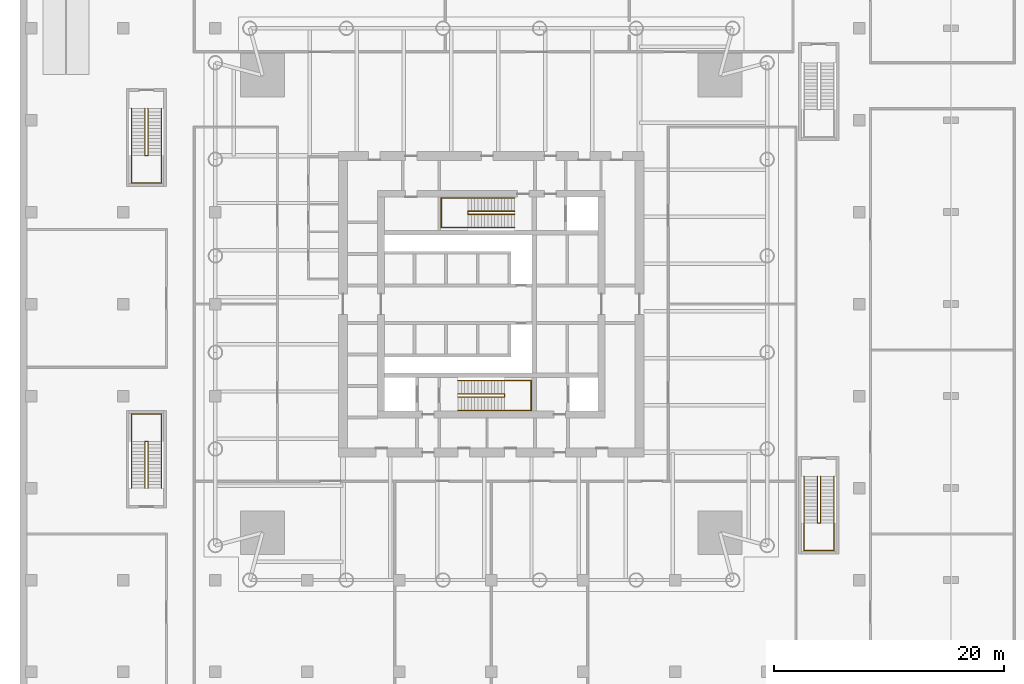
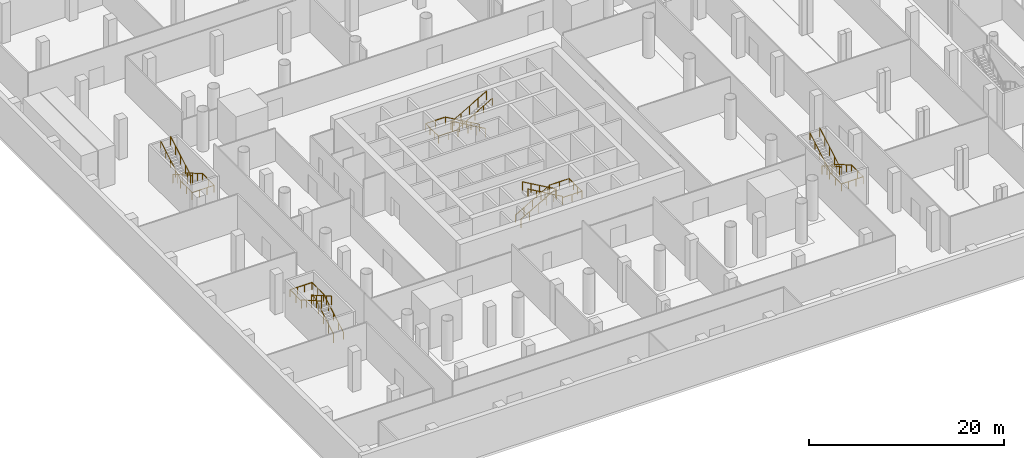
# One storey, part 19 of 22: 10 railings.
"""IFC4 building model written with IfcOpenShell, lengths in metres."""

from ifc_helpers import new_model, si_unit, direction, frame, origin, origin_2d, place, context, subcontext, project, spatial, circle, extrude, material, type_object, element, save


model = new_model("IFC4")

# Units and contexts
model_context = context("Model", 3, precision=1e-05, world=origin(), true_north=direction((0.0, 1.0)))
body_context = subcontext(model_context, "Body", "Model", "MODEL_VIEW")
ifc_project = project(units=[si_unit("LENGTHUNIT", "METRE"), si_unit("AREAUNIT", "SQUARE_METRE"), si_unit("VOLUMEUNIT", "CUBIC_METRE"), si_unit("PLANEANGLEUNIT", "RADIAN"), si_unit("MASSUNIT", "GRAM", prefix="KILO")], contexts=[model_context])

# Site, building, storey
site_placement = place(None, origin())
site = spatial("IfcSite", under=ifc_project, at=site_placement, CompositionType="ELEMENT")
building_placement = place(site_placement, origin())
building = spatial("IfcBuilding", under=site, at=building_placement, Name="Ostroluk Exchange", CompositionType="ELEMENT")
storey_placement = place(building_placement, frame((0.0, 0.0, -5.0)))
storey = spatial("IfcBuildingStorey", under=building, at=storey_placement, Name="B1", CompositionType="ELEMENT", Elevation=-5.0)

# Railings
ifc_material_1 = material(Name="Steel S355", Category="steel")
railing_type_1 = type_object("IfcRailingType", Name="Stair guard 1100", PredefinedType="GUARDRAIL", material=ifc_material_1)
railing_1_placement = place(storey_placement, frame((42.10009765625, 38.179931640625, 0.166748046875)))
element("IfcRailing", 1, at=railing_1_placement, inside=storey, type_object=railing_type_1, Name="Stair T1-S1 guard B1", PredefinedType="GUARDRAIL", context=body_context, shape_type="SweptSolid", body=[
    extrude(circle(Radius=0.02392578125, at=origin_2d()), frame((0.0, 0.0, 1.076171875), z_axis=(0.86701161382, 0.0, 0.498287930319), x_axis=(0.0, 1.0, 0.0)), (0.0, 0.0, 1.0), 4.6826171875),
    extrude(circle(Radius=0.02392578125, at=origin_2d()), frame((4.059814453125, 0.0, 3.4091796875), z_axis=(0.0, -1.0, 0.0), x_axis=(1.0, 0.0, 0.0)), (0.0, 0.0, 1.0), 0.260009765625),
    extrude(circle(Radius=0.02392578125, at=origin_2d()), frame((4.059814453125, -0.260009765625, 3.4091796875), z_axis=(0.0, 0.0, 1.0), x_axis=(1.0, 0.0, 0.0)), (0.0, 0.0, 1.0), 0.166748046875),
    extrude(circle(Radius=0.02392578125, at=origin_2d()), frame((4.059814453125, -0.260009765625, 3.576171875), z_axis=(-0.86701161382, 0.0, 0.498287930319), x_axis=(0.0, -1.0, 0.0)), (0.0, 0.0, 1.0), 4.6826171875),
    extrude(circle(Radius=0.02099609375, at=origin_2d()), origin(), (0.0, 0.0, 1.0), 1.052001953125),
    extrude(circle(Radius=0.02099609375, at=origin_2d()), frame((1.014892578125, 0.0, 0.583251953125)), (0.0, 0.0, 1.0), 1.052001953125),
    extrude(circle(Radius=0.02099609375, at=origin_2d()), frame((2.02978515625, 0.0, 1.16650390625)), (0.0, 0.0, 1.0), 1.052001953125),
    extrude(circle(Radius=0.02099609375, at=origin_2d()), frame((3.044921875, 0.0, 1.75)), (0.0, 0.0, 1.0), 1.052001953125),
    extrude(circle(Radius=0.02099609375, at=origin_2d()), frame((4.059814453125, 0.0, 2.333251953125)), (0.0, 0.0, 1.0), 1.052001953125),
    extrude(circle(Radius=0.02099609375, at=origin_2d()), frame((4.059814453125, -0.260009765625, 2.333251953125)), (0.0, 0.0, 1.0), 1.052001953125),
    extrude(circle(Radius=0.02099609375, at=origin_2d()), frame((4.059814453125, -0.260009765625, 2.5)), (0.0, 0.0, 1.0), 1.052001953125),
    extrude(circle(Radius=0.02099609375, at=origin_2d()), frame((3.044921875, -0.260009765625, 3.083251953125)), (0.0, 0.0, 1.0), 1.052001953125),
    extrude(circle(Radius=0.02099609375, at=origin_2d()), frame((2.02978515625, -0.260009765625, 3.66650390625)), (0.0, 0.0, 1.0), 1.052001953125),
    extrude(circle(Radius=0.02099609375, at=origin_2d()), frame((1.014892578125, -0.260009765625, 4.25)), (0.0, 0.0, 1.0), 1.052001953125),
    extrude(circle(Radius=0.02099609375, at=origin_2d()), frame((0.0, -0.260009765625, 4.833251953125)), (0.0, 0.0, 1.0), 1.052001953125),
])
railing_2_placement = place(storey_placement, frame((47.030029296875, 54.080078125, 0.166748046875)))
element("IfcRailing", 2, at=railing_2_placement, inside=storey, type_object=railing_type_1, Name="Stair T1-S2 guard B1", PredefinedType="GUARDRAIL", context=body_context, shape_type="SweptSolid", body=[
    extrude(circle(Radius=0.02392578125, at=origin_2d()), frame((0.0, 0.0, 1.076171875), z_axis=(-0.867024558463, 0.0, 0.498265406207), x_axis=(0.0, -1.0, 0.0)), (0.0, 0.0, 1.0), 4.682861328125),
    extrude(circle(Radius=0.02392578125, at=origin_2d()), frame((-4.06005859375, 0.0, 3.4091796875), z_axis=(0.0, -1.0, 0.0), x_axis=(1.0, 0.0, 0.0)), (0.0, 0.0, 1.0), 0.260009765625),
    extrude(circle(Radius=0.02392578125, at=origin_2d()), frame((-4.06005859375, -0.260009765625, 3.4091796875), z_axis=(0.0, 0.0, 1.0), x_axis=(1.0, 0.0, 0.0)), (0.0, 0.0, 1.0), 0.166748046875),
    extrude(circle(Radius=0.02392578125, at=origin_2d()), frame((-4.06005859375, -0.260009765625, 3.576171875), z_axis=(0.867024558463, 0.0, 0.498265406207), x_axis=(0.0, 1.0, 0.0)), (0.0, 0.0, 1.0), 4.682861328125),
    extrude(circle(Radius=0.02099609375, at=origin_2d()), origin(), (0.0, 0.0, 1.0), 1.052001953125),
    extrude(circle(Radius=0.02099609375, at=origin_2d()), frame((-1.01513671875, 0.0, 0.583251953125)), (0.0, 0.0, 1.0), 1.052001953125),
    extrude(circle(Radius=0.02099609375, at=origin_2d()), frame((-2.030029296875, 0.0, 1.16650390625)), (0.0, 0.0, 1.0), 1.052001953125),
    extrude(circle(Radius=0.02099609375, at=origin_2d()), frame((-3.044921875, 0.0, 1.75)), (0.0, 0.0, 1.0), 1.052001953125),
    extrude(circle(Radius=0.02099609375, at=origin_2d()), frame((-4.06005859375, 0.0, 2.333251953125)), (0.0, 0.0, 1.0), 1.052001953125),
    extrude(circle(Radius=0.02099609375, at=origin_2d()), frame((-4.06005859375, -0.260009765625, 2.333251953125)), (0.0, 0.0, 1.0), 1.052001953125),
    extrude(circle(Radius=0.02099609375, at=origin_2d()), frame((-4.06005859375, -0.260009765625, 2.5)), (0.0, 0.0, 1.0), 1.052001953125),
    extrude(circle(Radius=0.02099609375, at=origin_2d()), frame((-3.044921875, -0.260009765625, 3.083251953125)), (0.0, 0.0, 1.0), 1.052001953125),
    extrude(circle(Radius=0.02099609375, at=origin_2d()), frame((-2.030029296875, -0.260009765625, 3.66650390625)), (0.0, 0.0, 1.0), 1.052001953125),
    extrude(circle(Radius=0.02099609375, at=origin_2d()), frame((-1.01513671875, -0.260009765625, 4.25)), (0.0, 0.0, 1.0), 1.052001953125),
    extrude(circle(Radius=0.02099609375, at=origin_2d()), frame((0.0, -0.260009765625, 4.833251953125)), (0.0, 0.0, 1.0), 1.052001953125),
])
railing_3_placement = place(storey_placement, frame((15.1298828125, 30.0, 0.166748046875)))
element("IfcRailing", 3, at=railing_3_placement, inside=storey, type_object=railing_type_1, Name="Stair PS1 guard B1", PredefinedType="GUARDRAIL", context=body_context, shape_type="SweptSolid", body=[
    extrude(circle(Radius=0.02392578125, at=origin_2d()), frame((0.0, 0.0, 1.076171875), z_axis=(0.0, 0.867024558463, 0.498265406207), x_axis=(-1.0, 0.0, 0.0)), (0.0, 0.0, 1.0), 4.682861328125),
    extrude(circle(Radius=0.02392578125, at=origin_2d()), frame((0.0, 4.06005859375, 3.4091796875), z_axis=(-1.0, 0.0, 0.0), x_axis=(0.0, -1.0, 0.0)), (0.0, 0.0, 1.0), 0.259765625),
    extrude(circle(Radius=0.02392578125, at=origin_2d()), frame((-0.259765625, 4.06005859375, 3.4091796875), z_axis=(0.0, 0.0, 1.0), x_axis=(1.0, 0.0, 0.0)), (0.0, 0.0, 1.0), 0.166748046875),
    extrude(circle(Radius=0.02392578125, at=origin_2d()), frame((-0.259765625, 4.06005859375, 3.576171875), z_axis=(0.0, -0.867024558463, 0.498265406207), x_axis=(1.0, 0.0, 0.0)), (0.0, 0.0, 1.0), 4.682861328125),
    extrude(circle(Radius=0.02099609375, at=origin_2d()), origin(), (0.0, 0.0, 1.0), 1.052001953125),
    extrude(circle(Radius=0.02099609375, at=origin_2d()), frame((0.0, 1.01513671875, 0.583251953125)), (0.0, 0.0, 1.0), 1.052001953125),
    extrude(circle(Radius=0.02099609375, at=origin_2d()), frame((0.0, 2.030029296875, 1.16650390625)), (0.0, 0.0, 1.0), 1.052001953125),
    extrude(circle(Radius=0.02099609375, at=origin_2d()), frame((0.0, 3.044921875, 1.75)), (0.0, 0.0, 1.0), 1.052001953125),
    extrude(circle(Radius=0.02099609375, at=origin_2d()), frame((0.0, 4.06005859375, 2.333251953125)), (0.0, 0.0, 1.0), 1.052001953125),
    extrude(circle(Radius=0.02099609375, at=origin_2d()), frame((-0.259765625, 4.06005859375, 2.333251953125)), (0.0, 0.0, 1.0), 1.052001953125),
    extrude(circle(Radius=0.02099609375, at=origin_2d()), frame((-0.259765625, 4.06005859375, 2.5)), (0.0, 0.0, 1.0), 1.052001953125),
    extrude(circle(Radius=0.02099609375, at=origin_2d()), frame((-0.259765625, 3.044921875, 3.083251953125)), (0.0, 0.0, 1.0), 1.052001953125),
    extrude(circle(Radius=0.02099609375, at=origin_2d()), frame((-0.259765625, 2.030029296875, 3.66650390625)), (0.0, 0.0, 1.0), 1.052001953125),
    extrude(circle(Radius=0.02099609375, at=origin_2d()), frame((-0.259765625, 1.01513671875, 4.25)), (0.0, 0.0, 1.0), 1.052001953125),
    extrude(circle(Radius=0.02099609375, at=origin_2d()), frame((-0.259765625, 0.0, 4.833251953125)), (0.0, 0.0, 1.0), 1.052001953125),
])
railing_4_placement = place(storey_placement, frame((15.1298828125, 63.0, 0.166748046875)))
element("IfcRailing", 4, at=railing_4_placement, inside=storey, type_object=railing_type_1, Name="Stair PS2 guard B1", PredefinedType="GUARDRAIL", context=body_context, shape_type="SweptSolid", body=[
    extrude(circle(Radius=0.02392578125, at=origin_2d()), frame((0.0, 0.0, 1.076171875), z_axis=(0.0, -0.867024558463, 0.498265406207), x_axis=(1.0, 0.0, 0.0)), (0.0, 0.0, 1.0), 4.682861328125),
    extrude(circle(Radius=0.02392578125, at=origin_2d()), frame((0.0, -4.06005859375, 3.4091796875), z_axis=(-1.0, 0.0, 0.0), x_axis=(0.0, -1.0, 0.0)), (0.0, 0.0, 1.0), 0.259765625),
    extrude(circle(Radius=0.02392578125, at=origin_2d()), frame((-0.259765625, -4.06005859375, 3.4091796875), z_axis=(0.0, 0.0, 1.0), x_axis=(1.0, 0.0, 0.0)), (0.0, 0.0, 1.0), 0.166748046875),
    extrude(circle(Radius=0.02392578125, at=origin_2d()), frame((-0.259765625, -4.06005859375, 3.576171875), z_axis=(0.0, 0.867024558463, 0.498265406207), x_axis=(-1.0, 0.0, 0.0)), (0.0, 0.0, 1.0), 4.682861328125),
    extrude(circle(Radius=0.02099609375, at=origin_2d()), origin(), (0.0, 0.0, 1.0), 1.052001953125),
    extrude(circle(Radius=0.02099609375, at=origin_2d()), frame((0.0, -1.01513671875, 0.583251953125)), (0.0, 0.0, 1.0), 1.052001953125),
    extrude(circle(Radius=0.02099609375, at=origin_2d()), frame((0.0, -2.030029296875, 1.16650390625)), (0.0, 0.0, 1.0), 1.052001953125),
    extrude(circle(Radius=0.02099609375, at=origin_2d()), frame((0.0, -3.044921875, 1.75)), (0.0, 0.0, 1.0), 1.052001953125),
    extrude(circle(Radius=0.02099609375, at=origin_2d()), frame((0.0, -4.06005859375, 2.333251953125)), (0.0, 0.0, 1.0), 1.052001953125),
    extrude(circle(Radius=0.02099609375, at=origin_2d()), frame((-0.259765625, -4.06005859375, 2.333251953125)), (0.0, 0.0, 1.0), 1.052001953125),
    extrude(circle(Radius=0.02099609375, at=origin_2d()), frame((-0.259765625, -4.06005859375, 2.5)), (0.0, 0.0, 1.0), 1.052001953125),
    extrude(circle(Radius=0.02099609375, at=origin_2d()), frame((-0.259765625, -3.044921875, 3.083251953125)), (0.0, 0.0, 1.0), 1.052001953125),
    extrude(circle(Radius=0.02099609375, at=origin_2d()), frame((-0.259765625, -2.030029296875, 3.66650390625)), (0.0, 0.0, 1.0), 1.052001953125),
    extrude(circle(Radius=0.02099609375, at=origin_2d()), frame((-0.259765625, -1.01513671875, 4.25)), (0.0, 0.0, 1.0), 1.052001953125),
    extrude(circle(Radius=0.02099609375, at=origin_2d()), frame((-0.259765625, 0.0, 4.833251953125)), (0.0, 0.0, 1.0), 1.052001953125),
])
railing_5_placement = place(storey_placement, frame((73.6298828125, 31.0, 0.166748046875)))
element("IfcRailing", 5, at=railing_5_placement, inside=storey, type_object=railing_type_1, Name="Stair PS3 guard B1", PredefinedType="GUARDRAIL", context=body_context, shape_type="SweptSolid", body=[
    extrude(circle(Radius=0.02392578125, at=origin_2d()), frame((0.0, 0.0, 1.076171875), z_axis=(0.0, -0.867024558463, 0.498265406207), x_axis=(1.0, 0.0, 0.0)), (0.0, 0.0, 1.0), 4.682861328125),
    extrude(circle(Radius=0.02392578125, at=origin_2d()), frame((0.0, -4.06005859375, 3.4091796875), z_axis=(-1.0, 0.0, 0.0), x_axis=(0.0, -1.0, 0.0)), (0.0, 0.0, 1.0), 0.259765625),
    extrude(circle(Radius=0.02392578125, at=origin_2d()), frame((-0.259765625, -4.06005859375, 3.4091796875), z_axis=(0.0, 0.0, 1.0), x_axis=(1.0, 0.0, 0.0)), (0.0, 0.0, 1.0), 0.166748046875),
    extrude(circle(Radius=0.02392578125, at=origin_2d()), frame((-0.259765625, -4.06005859375, 3.576171875), z_axis=(0.0, 0.867024558463, 0.498265406207), x_axis=(-1.0, 0.0, 0.0)), (0.0, 0.0, 1.0), 4.682861328125),
    extrude(circle(Radius=0.02099609375, at=origin_2d()), origin(), (0.0, 0.0, 1.0), 1.052001953125),
    extrude(circle(Radius=0.02099609375, at=origin_2d()), frame((0.0, -1.01513671875, 0.583251953125)), (0.0, 0.0, 1.0), 1.052001953125),
    extrude(circle(Radius=0.02099609375, at=origin_2d()), frame((0.0, -2.030029296875, 1.16650390625)), (0.0, 0.0, 1.0), 1.052001953125),
    extrude(circle(Radius=0.02099609375, at=origin_2d()), frame((0.0, -3.044921875, 1.75)), (0.0, 0.0, 1.0), 1.052001953125),
    extrude(circle(Radius=0.02099609375, at=origin_2d()), frame((0.0, -4.06005859375, 2.333251953125)), (0.0, 0.0, 1.0), 1.052001953125),
    extrude(circle(Radius=0.02099609375, at=origin_2d()), frame((-0.259765625, -4.06005859375, 2.333251953125)), (0.0, 0.0, 1.0), 1.052001953125),
    extrude(circle(Radius=0.02099609375, at=origin_2d()), frame((-0.259765625, -4.06005859375, 2.5)), (0.0, 0.0, 1.0), 1.052001953125),
    extrude(circle(Radius=0.02099609375, at=origin_2d()), frame((-0.259765625, -3.044921875, 3.083251953125)), (0.0, 0.0, 1.0), 1.052001953125),
    extrude(circle(Radius=0.02099609375, at=origin_2d()), frame((-0.259765625, -2.030029296875, 3.66650390625)), (0.0, 0.0, 1.0), 1.052001953125),
    extrude(circle(Radius=0.02099609375, at=origin_2d()), frame((-0.259765625, -1.01513671875, 4.25)), (0.0, 0.0, 1.0), 1.052001953125),
    extrude(circle(Radius=0.02099609375, at=origin_2d()), frame((-0.259765625, 0.0, 4.833251953125)), (0.0, 0.0, 1.0), 1.052001953125),
])
ifc_material_2 = material(Name="Stainless steel", Category="steel")
railing_type_2 = type_object("IfcRailingType", Name="Stair handrail 900", PredefinedType="HANDRAIL", material=ifc_material_2)
railing_6_placement = place(storey_placement, frame((42.10009765625, 39.35009765625, 0.166748046875)))
element("IfcRailing", 6, at=railing_6_placement, inside=storey, type_object=railing_type_2, Name="Stair T1-S1 handrail B1", PredefinedType="HANDRAIL", context=body_context, shape_type="SweptSolid", body=[
    extrude(circle(Radius=0.02392578125, at=origin_2d()), frame((0.0, 0.0, 0.8759765625), z_axis=(0.86701161382, 0.0, 0.498287930319), x_axis=(0.0, 1.0, 0.0)), (0.0, 0.0, 1.0), 4.6826171875),
    extrude(circle(Radius=0.02392578125, at=origin_2d()), frame((4.059814453125, 0.0, 3.208984375), z_axis=(1.0, 0.0, 0.0), x_axis=(0.0, 1.0, 0.0)), (0.0, 0.0, 1.0), 2.320068359375),
    extrude(circle(Radius=0.02392578125, at=origin_2d()), frame((6.3798828125, 0.0, 3.208984375), z_axis=(0.0, -1.0, 0.0), x_axis=(1.0, 0.0, 0.0)), (0.0, 0.0, 1.0), 2.60009765625),
    extrude(circle(Radius=0.02392578125, at=origin_2d()), frame((6.3798828125, -2.60009765625, 3.208984375), z_axis=(-1.0, 0.0, 0.0), x_axis=(0.0, -1.0, 0.0)), (0.0, 0.0, 1.0), 2.320068359375),
    extrude(circle(Radius=0.02392578125, at=origin_2d()), frame((4.059814453125, -2.60009765625, 3.208984375), z_axis=(0.0, 0.0, 1.0), x_axis=(1.0, 0.0, 0.0)), (0.0, 0.0, 1.0), 0.166748046875),
    extrude(circle(Radius=0.02392578125, at=origin_2d()), frame((4.059814453125, -2.60009765625, 3.3759765625), z_axis=(-0.86701161382, 0.0, 0.498287930319), x_axis=(0.0, -1.0, 0.0)), (0.0, 0.0, 1.0), 4.6826171875),
    extrude(circle(Radius=0.02099609375, at=origin_2d()), origin(), (0.0, 0.0, 1.0), 0.851806640625),
    extrude(circle(Radius=0.02099609375, at=origin_2d()), frame((1.014892578125, 0.0, 0.583251953125)), (0.0, 0.0, 1.0), 0.851806640625),
    extrude(circle(Radius=0.02099609375, at=origin_2d()), frame((2.02978515625, 0.0, 1.16650390625)), (0.0, 0.0, 1.0), 0.851806640625),
    extrude(circle(Radius=0.02099609375, at=origin_2d()), frame((3.044921875, 0.0, 1.75)), (0.0, 0.0, 1.0), 0.851806640625),
    extrude(circle(Radius=0.02099609375, at=origin_2d()), frame((4.059814453125, 0.0, 2.333251953125)), (0.0, 0.0, 1.0), 0.851806640625),
    extrude(circle(Radius=0.02099609375, at=origin_2d()), frame((5.2197265625, 0.0, 2.333251953125)), (0.0, 0.0, 1.0), 0.851806640625),
    extrude(circle(Radius=0.02099609375, at=origin_2d()), frame((6.3798828125, 0.0, 2.333251953125)), (0.0, 0.0, 1.0), 0.851806640625),
    extrude(circle(Radius=0.02099609375, at=origin_2d()), frame((6.3798828125, -0.86669921875, 2.333251953125)), (0.0, 0.0, 1.0), 0.851806640625),
    extrude(circle(Radius=0.02099609375, at=origin_2d()), frame((6.3798828125, -1.7333984375, 2.333251953125)), (0.0, 0.0, 1.0), 0.851806640625),
    extrude(circle(Radius=0.02099609375, at=origin_2d()), frame((6.3798828125, -2.60009765625, 2.333251953125)), (0.0, 0.0, 1.0), 0.851806640625),
    extrude(circle(Radius=0.02099609375, at=origin_2d()), frame((5.2197265625, -2.60009765625, 2.333251953125)), (0.0, 0.0, 1.0), 0.851806640625),
    extrude(circle(Radius=0.02099609375, at=origin_2d()), frame((4.059814453125, -2.60009765625, 2.333251953125)), (0.0, 0.0, 1.0), 0.851806640625),
    extrude(circle(Radius=0.02099609375, at=origin_2d()), frame((4.059814453125, -2.60009765625, 2.5)), (0.0, 0.0, 1.0), 0.851806640625),
    extrude(circle(Radius=0.02099609375, at=origin_2d()), frame((3.044921875, -2.60009765625, 3.083251953125)), (0.0, 0.0, 1.0), 0.851806640625),
    extrude(circle(Radius=0.02099609375, at=origin_2d()), frame((2.02978515625, -2.60009765625, 3.66650390625)), (0.0, 0.0, 1.0), 0.851806640625),
    extrude(circle(Radius=0.02099609375, at=origin_2d()), frame((1.014892578125, -2.60009765625, 4.25)), (0.0, 0.0, 1.0), 0.851806640625),
    extrude(circle(Radius=0.02099609375, at=origin_2d()), frame((0.0, -2.60009765625, 4.833251953125)), (0.0, 0.0, 1.0), 0.851806640625),
])
railing_7_placement = place(storey_placement, frame((47.030029296875, 55.25, 0.166748046875)))
element("IfcRailing", 7, at=railing_7_placement, inside=storey, type_object=railing_type_2, Name="Stair T1-S2 handrail B1", PredefinedType="HANDRAIL", context=body_context, shape_type="SweptSolid", body=[
    extrude(circle(Radius=0.02392578125, at=origin_2d()), frame((0.0, 0.0, 0.8759765625), z_axis=(-0.867024558463, 0.0, 0.498265406207), x_axis=(0.0, -1.0, 0.0)), (0.0, 0.0, 1.0), 4.682861328125),
    extrude(circle(Radius=0.02392578125, at=origin_2d()), frame((-4.06005859375, 0.0, 3.208984375), z_axis=(-1.0, 0.0, 0.0), x_axis=(0.0, -1.0, 0.0)), (0.0, 0.0, 1.0), 2.320068359375),
    extrude(circle(Radius=0.02392578125, at=origin_2d()), frame((-6.380126953125, 0.0, 3.208984375), z_axis=(0.0, -1.0, 0.0), x_axis=(1.0, 0.0, 0.0)), (0.0, 0.0, 1.0), 2.60009765625),
    extrude(circle(Radius=0.02392578125, at=origin_2d()), frame((-6.380126953125, -2.60009765625, 3.208984375), z_axis=(1.0, 0.0, 0.0), x_axis=(0.0, 1.0, 0.0)), (0.0, 0.0, 1.0), 2.320068359375),
    extrude(circle(Radius=0.02392578125, at=origin_2d()), frame((-4.06005859375, -2.60009765625, 3.208984375), z_axis=(0.0, 0.0, 1.0), x_axis=(1.0, 0.0, 0.0)), (0.0, 0.0, 1.0), 0.166748046875),
    extrude(circle(Radius=0.02392578125, at=origin_2d()), frame((-4.06005859375, -2.60009765625, 3.3759765625), z_axis=(0.867024558463, 0.0, 0.498265406207), x_axis=(0.0, 1.0, 0.0)), (0.0, 0.0, 1.0), 4.682861328125),
    extrude(circle(Radius=0.02099609375, at=origin_2d()), origin(), (0.0, 0.0, 1.0), 0.851806640625),
    extrude(circle(Radius=0.02099609375, at=origin_2d()), frame((-1.01513671875, 0.0, 0.583251953125)), (0.0, 0.0, 1.0), 0.851806640625),
    extrude(circle(Radius=0.02099609375, at=origin_2d()), frame((-2.030029296875, 0.0, 1.16650390625)), (0.0, 0.0, 1.0), 0.851806640625),
    extrude(circle(Radius=0.02099609375, at=origin_2d()), frame((-3.044921875, 0.0, 1.75)), (0.0, 0.0, 1.0), 0.851806640625),
    extrude(circle(Radius=0.02099609375, at=origin_2d()), frame((-4.06005859375, 0.0, 2.333251953125)), (0.0, 0.0, 1.0), 0.851806640625),
    extrude(circle(Radius=0.02099609375, at=origin_2d()), frame((-5.22021484375, 0.0, 2.333251953125)), (0.0, 0.0, 1.0), 0.851806640625),
    extrude(circle(Radius=0.02099609375, at=origin_2d()), frame((-6.380126953125, 0.0, 2.333251953125)), (0.0, 0.0, 1.0), 0.851806640625),
    extrude(circle(Radius=0.02099609375, at=origin_2d()), frame((-6.380126953125, -0.86669921875, 2.333251953125)), (0.0, 0.0, 1.0), 0.851806640625),
    extrude(circle(Radius=0.02099609375, at=origin_2d()), frame((-6.380126953125, -1.7333984375, 2.333251953125)), (0.0, 0.0, 1.0), 0.851806640625),
    extrude(circle(Radius=0.02099609375, at=origin_2d()), frame((-6.380126953125, -2.60009765625, 2.333251953125)), (0.0, 0.0, 1.0), 0.851806640625),
    extrude(circle(Radius=0.02099609375, at=origin_2d()), frame((-5.22021484375, -2.60009765625, 2.333251953125)), (0.0, 0.0, 1.0), 0.851806640625),
    extrude(circle(Radius=0.02099609375, at=origin_2d()), frame((-4.06005859375, -2.60009765625, 2.333251953125)), (0.0, 0.0, 1.0), 0.851806640625),
    extrude(circle(Radius=0.02099609375, at=origin_2d()), frame((-4.06005859375, -2.60009765625, 2.5)), (0.0, 0.0, 1.0), 0.851806640625),
    extrude(circle(Radius=0.02099609375, at=origin_2d()), frame((-3.044921875, -2.60009765625, 3.083251953125)), (0.0, 0.0, 1.0), 0.851806640625),
    extrude(circle(Radius=0.02099609375, at=origin_2d()), frame((-2.030029296875, -2.60009765625, 3.66650390625)), (0.0, 0.0, 1.0), 0.851806640625),
    extrude(circle(Radius=0.02099609375, at=origin_2d()), frame((-1.01513671875, -2.60009765625, 4.25)), (0.0, 0.0, 1.0), 0.851806640625),
    extrude(circle(Radius=0.02099609375, at=origin_2d()), frame((0.0, -2.60009765625, 4.833251953125)), (0.0, 0.0, 1.0), 0.851806640625),
])
railing_8_placement = place(storey_placement, frame((16.300048828125, 30.0, 0.166748046875)))
element("IfcRailing", 8, at=railing_8_placement, inside=storey, type_object=railing_type_2, Name="Stair PS1 handrail B1", PredefinedType="HANDRAIL", context=body_context, shape_type="SweptSolid", body=[
    extrude(circle(Radius=0.02392578125, at=origin_2d()), frame((0.0, 0.0, 0.8759765625), z_axis=(0.0, 0.867024558463, 0.498265406207), x_axis=(-1.0, 0.0, 0.0)), (0.0, 0.0, 1.0), 4.682861328125),
    extrude(circle(Radius=0.02392578125, at=origin_2d()), frame((0.0, 4.06005859375, 3.208984375), z_axis=(0.0, 1.0, 0.0), x_axis=(-1.0, 0.0, 0.0)), (0.0, 0.0, 1.0), 2.389892578125),
    extrude(circle(Radius=0.02392578125, at=origin_2d()), frame((0.0, 6.449951171875, 3.208984375), z_axis=(-1.0, 0.0, 0.0), x_axis=(0.0, -1.0, 0.0)), (0.0, 0.0, 1.0), 2.60009765625),
    extrude(circle(Radius=0.02392578125, at=origin_2d()), frame((-2.60009765625, 6.449951171875, 3.208984375), z_axis=(0.0, -1.0, 0.0), x_axis=(1.0, 0.0, 0.0)), (0.0, 0.0, 1.0), 2.389892578125),
    extrude(circle(Radius=0.02392578125, at=origin_2d()), frame((-2.60009765625, 4.06005859375, 3.208984375), z_axis=(0.0, 0.0, 1.0), x_axis=(1.0, 0.0, 0.0)), (0.0, 0.0, 1.0), 0.166748046875),
    extrude(circle(Radius=0.02392578125, at=origin_2d()), frame((-2.60009765625, 4.06005859375, 3.3759765625), z_axis=(0.0, -0.867024558463, 0.498265406207), x_axis=(1.0, 0.0, 0.0)), (0.0, 0.0, 1.0), 4.682861328125),
    extrude(circle(Radius=0.02099609375, at=origin_2d()), origin(), (0.0, 0.0, 1.0), 0.851806640625),
    extrude(circle(Radius=0.02099609375, at=origin_2d()), frame((0.0, 1.01513671875, 0.583251953125)), (0.0, 0.0, 1.0), 0.851806640625),
    extrude(circle(Radius=0.02099609375, at=origin_2d()), frame((0.0, 2.030029296875, 1.16650390625)), (0.0, 0.0, 1.0), 0.851806640625),
    extrude(circle(Radius=0.02099609375, at=origin_2d()), frame((0.0, 3.044921875, 1.75)), (0.0, 0.0, 1.0), 0.851806640625),
    extrude(circle(Radius=0.02099609375, at=origin_2d()), frame((0.0, 4.06005859375, 2.333251953125)), (0.0, 0.0, 1.0), 0.851806640625),
    extrude(circle(Radius=0.02099609375, at=origin_2d()), frame((0.0, 5.2548828125, 2.333251953125)), (0.0, 0.0, 1.0), 0.851806640625),
    extrude(circle(Radius=0.02099609375, at=origin_2d()), frame((0.0, 6.449951171875, 2.333251953125)), (0.0, 0.0, 1.0), 0.851806640625),
    extrude(circle(Radius=0.02099609375, at=origin_2d()), frame((-0.86669921875, 6.449951171875, 2.333251953125)), (0.0, 0.0, 1.0), 0.851806640625),
    extrude(circle(Radius=0.02099609375, at=origin_2d()), frame((-1.7333984375, 6.449951171875, 2.333251953125)), (0.0, 0.0, 1.0), 0.851806640625),
    extrude(circle(Radius=0.02099609375, at=origin_2d()), frame((-2.60009765625, 6.449951171875, 2.333251953125)), (0.0, 0.0, 1.0), 0.851806640625),
    extrude(circle(Radius=0.02099609375, at=origin_2d()), frame((-2.60009765625, 5.2548828125, 2.333251953125)), (0.0, 0.0, 1.0), 0.851806640625),
    extrude(circle(Radius=0.02099609375, at=origin_2d()), frame((-2.60009765625, 4.06005859375, 2.333251953125)), (0.0, 0.0, 1.0), 0.851806640625),
    extrude(circle(Radius=0.02099609375, at=origin_2d()), frame((-2.60009765625, 4.06005859375, 2.5)), (0.0, 0.0, 1.0), 0.851806640625),
    extrude(circle(Radius=0.02099609375, at=origin_2d()), frame((-2.60009765625, 3.044921875, 3.083251953125)), (0.0, 0.0, 1.0), 0.851806640625),
    extrude(circle(Radius=0.02099609375, at=origin_2d()), frame((-2.60009765625, 2.030029296875, 3.66650390625)), (0.0, 0.0, 1.0), 0.851806640625),
    extrude(circle(Radius=0.02099609375, at=origin_2d()), frame((-2.60009765625, 1.01513671875, 4.25)), (0.0, 0.0, 1.0), 0.851806640625),
    extrude(circle(Radius=0.02099609375, at=origin_2d()), frame((-2.60009765625, 0.0, 4.833251953125)), (0.0, 0.0, 1.0), 0.851806640625),
])
railing_9_placement = place(storey_placement, frame((16.300048828125, 63.0, 0.166748046875)))
element("IfcRailing", 9, at=railing_9_placement, inside=storey, type_object=railing_type_2, Name="Stair PS2 handrail B1", PredefinedType="HANDRAIL", context=body_context, shape_type="SweptSolid", body=[
    extrude(circle(Radius=0.02392578125, at=origin_2d()), frame((0.0, 0.0, 0.8759765625), z_axis=(0.0, -0.867024558463, 0.498265406207), x_axis=(1.0, 0.0, 0.0)), (0.0, 0.0, 1.0), 4.682861328125),
    extrude(circle(Radius=0.02392578125, at=origin_2d()), frame((0.0, -4.06005859375, 3.208984375), z_axis=(0.0, -1.0, 0.0), x_axis=(1.0, 0.0, 0.0)), (0.0, 0.0, 1.0), 2.389892578125),
    extrude(circle(Radius=0.02392578125, at=origin_2d()), frame((0.0, -6.449951171875, 3.208984375), z_axis=(-1.0, 0.0, 0.0), x_axis=(0.0, -1.0, 0.0)), (0.0, 0.0, 1.0), 2.60009765625),
    extrude(circle(Radius=0.02392578125, at=origin_2d()), frame((-2.60009765625, -6.449951171875, 3.208984375), z_axis=(0.0, 1.0, 0.0), x_axis=(-1.0, 0.0, 0.0)), (0.0, 0.0, 1.0), 2.389892578125),
    extrude(circle(Radius=0.02392578125, at=origin_2d()), frame((-2.60009765625, -4.06005859375, 3.208984375), z_axis=(0.0, 0.0, 1.0), x_axis=(1.0, 0.0, 0.0)), (0.0, 0.0, 1.0), 0.166748046875),
    extrude(circle(Radius=0.02392578125, at=origin_2d()), frame((-2.60009765625, -4.06005859375, 3.3759765625), z_axis=(0.0, 0.867024558463, 0.498265406207), x_axis=(-1.0, 0.0, 0.0)), (0.0, 0.0, 1.0), 4.682861328125),
    extrude(circle(Radius=0.02099609375, at=origin_2d()), origin(), (0.0, 0.0, 1.0), 0.851806640625),
    extrude(circle(Radius=0.02099609375, at=origin_2d()), frame((0.0, -1.01513671875, 0.583251953125)), (0.0, 0.0, 1.0), 0.851806640625),
    extrude(circle(Radius=0.02099609375, at=origin_2d()), frame((0.0, -2.030029296875, 1.16650390625)), (0.0, 0.0, 1.0), 0.851806640625),
    extrude(circle(Radius=0.02099609375, at=origin_2d()), frame((0.0, -3.044921875, 1.75)), (0.0, 0.0, 1.0), 0.851806640625),
    extrude(circle(Radius=0.02099609375, at=origin_2d()), frame((0.0, -4.06005859375, 2.333251953125)), (0.0, 0.0, 1.0), 0.851806640625),
    extrude(circle(Radius=0.02099609375, at=origin_2d()), frame((0.0, -5.2548828125, 2.333251953125)), (0.0, 0.0, 1.0), 0.851806640625),
    extrude(circle(Radius=0.02099609375, at=origin_2d()), frame((0.0, -6.449951171875, 2.333251953125)), (0.0, 0.0, 1.0), 0.851806640625),
    extrude(circle(Radius=0.02099609375, at=origin_2d()), frame((-0.86669921875, -6.449951171875, 2.333251953125)), (0.0, 0.0, 1.0), 0.851806640625),
    extrude(circle(Radius=0.02099609375, at=origin_2d()), frame((-1.7333984375, -6.449951171875, 2.333251953125)), (0.0, 0.0, 1.0), 0.851806640625),
    extrude(circle(Radius=0.02099609375, at=origin_2d()), frame((-2.60009765625, -6.449951171875, 2.333251953125)), (0.0, 0.0, 1.0), 0.851806640625),
    extrude(circle(Radius=0.02099609375, at=origin_2d()), frame((-2.60009765625, -5.2548828125, 2.333251953125)), (0.0, 0.0, 1.0), 0.851806640625),
    extrude(circle(Radius=0.02099609375, at=origin_2d()), frame((-2.60009765625, -4.06005859375, 2.333251953125)), (0.0, 0.0, 1.0), 0.851806640625),
    extrude(circle(Radius=0.02099609375, at=origin_2d()), frame((-2.60009765625, -4.06005859375, 2.5)), (0.0, 0.0, 1.0), 0.851806640625),
    extrude(circle(Radius=0.02099609375, at=origin_2d()), frame((-2.60009765625, -3.044921875, 3.083251953125)), (0.0, 0.0, 1.0), 0.851806640625),
    extrude(circle(Radius=0.02099609375, at=origin_2d()), frame((-2.60009765625, -2.030029296875, 3.66650390625)), (0.0, 0.0, 1.0), 0.851806640625),
    extrude(circle(Radius=0.02099609375, at=origin_2d()), frame((-2.60009765625, -1.01513671875, 4.25)), (0.0, 0.0, 1.0), 0.851806640625),
    extrude(circle(Radius=0.02099609375, at=origin_2d()), frame((-2.60009765625, 0.0, 4.833251953125)), (0.0, 0.0, 1.0), 0.851806640625),
])
railing_10_placement = place(storey_placement, frame((74.800048828125, 31.0, 0.166748046875)))
element("IfcRailing", 10, at=railing_10_placement, inside=storey, type_object=railing_type_2, Name="Stair PS3 handrail B1", PredefinedType="HANDRAIL", context=body_context, shape_type="SweptSolid", body=[
    extrude(circle(Radius=0.02392578125, at=origin_2d()), frame((0.0, 0.0, 0.8759765625), z_axis=(0.0, -0.867024558463, 0.498265406207), x_axis=(1.0, 0.0, 0.0)), (0.0, 0.0, 1.0), 4.682861328125),
    extrude(circle(Radius=0.02392578125, at=origin_2d()), frame((0.0, -4.06005859375, 3.208984375), z_axis=(0.0, -1.0, 0.0), x_axis=(1.0, 0.0, 0.0)), (0.0, 0.0, 1.0), 2.389892578125),
    extrude(circle(Radius=0.02392578125, at=origin_2d()), frame((0.0, -6.449951171875, 3.208984375), z_axis=(-1.0, 0.0, 0.0), x_axis=(0.0, -1.0, 0.0)), (0.0, 0.0, 1.0), 2.60009765625),
    extrude(circle(Radius=0.02392578125, at=origin_2d()), frame((-2.60009765625, -6.449951171875, 3.208984375), z_axis=(0.0, 1.0, 0.0), x_axis=(-1.0, 0.0, 0.0)), (0.0, 0.0, 1.0), 2.389892578125),
    extrude(circle(Radius=0.02392578125, at=origin_2d()), frame((-2.60009765625, -4.06005859375, 3.208984375), z_axis=(0.0, 0.0, 1.0), x_axis=(1.0, 0.0, 0.0)), (0.0, 0.0, 1.0), 0.166748046875),
    extrude(circle(Radius=0.02392578125, at=origin_2d()), frame((-2.60009765625, -4.06005859375, 3.3759765625), z_axis=(0.0, 0.867024558463, 0.498265406207), x_axis=(-1.0, 0.0, 0.0)), (0.0, 0.0, 1.0), 4.682861328125),
    extrude(circle(Radius=0.02099609375, at=origin_2d()), origin(), (0.0, 0.0, 1.0), 0.851806640625),
    extrude(circle(Radius=0.02099609375, at=origin_2d()), frame((0.0, -1.01513671875, 0.583251953125)), (0.0, 0.0, 1.0), 0.851806640625),
    extrude(circle(Radius=0.02099609375, at=origin_2d()), frame((0.0, -2.030029296875, 1.16650390625)), (0.0, 0.0, 1.0), 0.851806640625),
    extrude(circle(Radius=0.02099609375, at=origin_2d()), frame((0.0, -3.044921875, 1.75)), (0.0, 0.0, 1.0), 0.851806640625),
    extrude(circle(Radius=0.02099609375, at=origin_2d()), frame((0.0, -4.06005859375, 2.333251953125)), (0.0, 0.0, 1.0), 0.851806640625),
    extrude(circle(Radius=0.02099609375, at=origin_2d()), frame((0.0, -5.2548828125, 2.333251953125)), (0.0, 0.0, 1.0), 0.851806640625),
    extrude(circle(Radius=0.02099609375, at=origin_2d()), frame((0.0, -6.449951171875, 2.333251953125)), (0.0, 0.0, 1.0), 0.851806640625),
    extrude(circle(Radius=0.02099609375, at=origin_2d()), frame((-0.86669921875, -6.449951171875, 2.333251953125)), (0.0, 0.0, 1.0), 0.851806640625),
    extrude(circle(Radius=0.02099609375, at=origin_2d()), frame((-1.7333984375, -6.449951171875, 2.333251953125)), (0.0, 0.0, 1.0), 0.851806640625),
    extrude(circle(Radius=0.02099609375, at=origin_2d()), frame((-2.60009765625, -6.449951171875, 2.333251953125)), (0.0, 0.0, 1.0), 0.851806640625),
    extrude(circle(Radius=0.02099609375, at=origin_2d()), frame((-2.60009765625, -5.2548828125, 2.333251953125)), (0.0, 0.0, 1.0), 0.851806640625),
    extrude(circle(Radius=0.02099609375, at=origin_2d()), frame((-2.60009765625, -4.06005859375, 2.333251953125)), (0.0, 0.0, 1.0), 0.851806640625),
    extrude(circle(Radius=0.02099609375, at=origin_2d()), frame((-2.60009765625, -4.06005859375, 2.5)), (0.0, 0.0, 1.0), 0.851806640625),
    extrude(circle(Radius=0.02099609375, at=origin_2d()), frame((-2.60009765625, -3.044921875, 3.083251953125)), (0.0, 0.0, 1.0), 0.851806640625),
    extrude(circle(Radius=0.02099609375, at=origin_2d()), frame((-2.60009765625, -2.030029296875, 3.66650390625)), (0.0, 0.0, 1.0), 0.851806640625),
    extrude(circle(Radius=0.02099609375, at=origin_2d()), frame((-2.60009765625, -1.01513671875, 4.25)), (0.0, 0.0, 1.0), 0.851806640625),
    extrude(circle(Radius=0.02099609375, at=origin_2d()), frame((-2.60009765625, 0.0, 4.833251953125)), (0.0, 0.0, 1.0), 0.851806640625),
])

save(model, "model.ifc")
